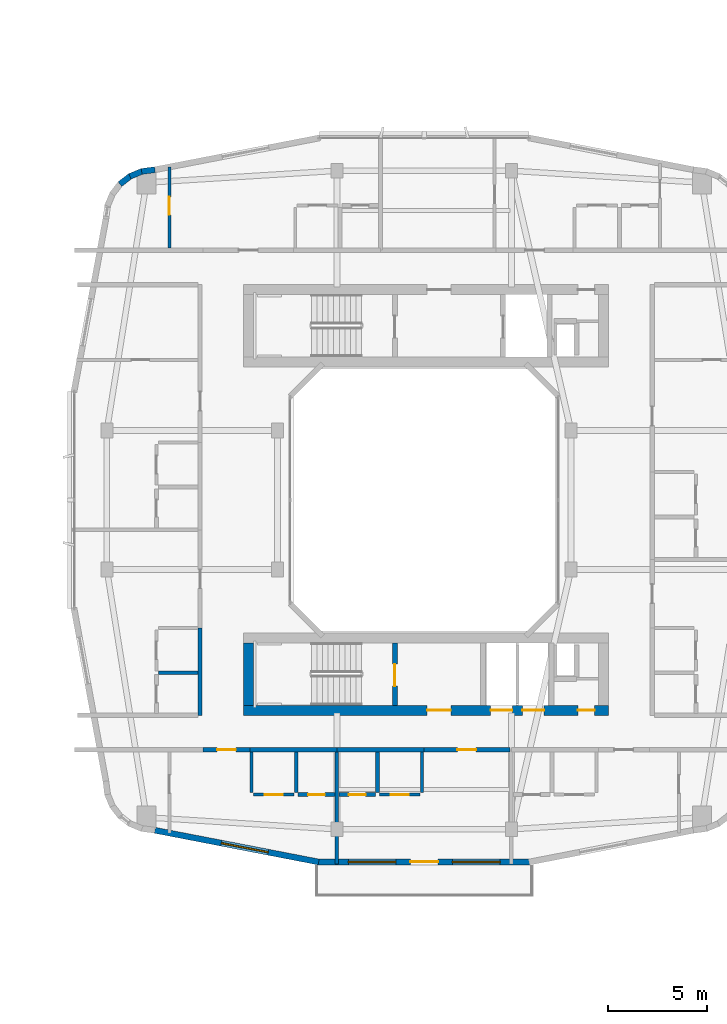
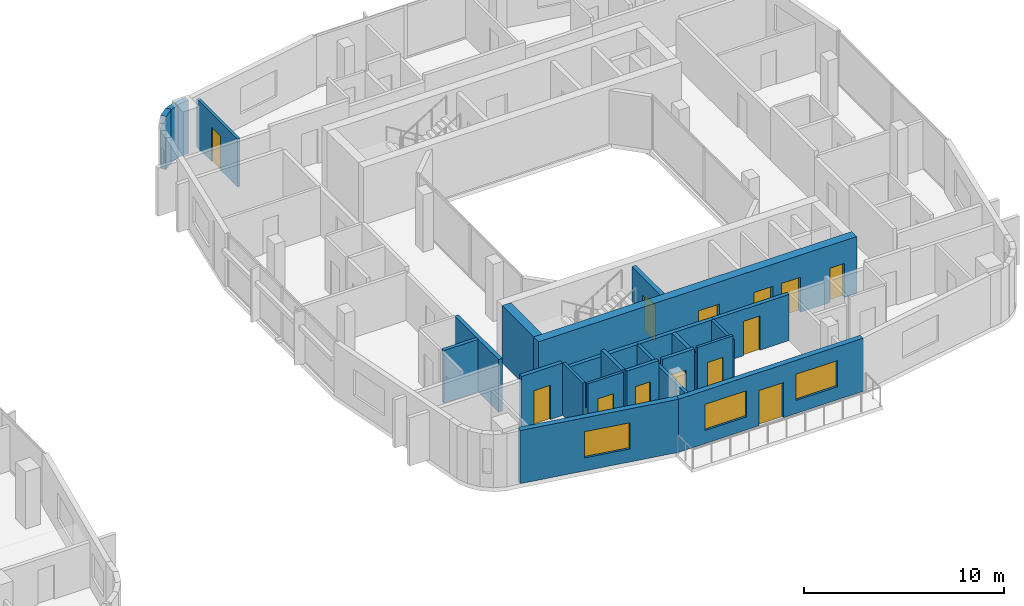
# One storey, part 14 of 24: 24 walls, 13 doors, 3 windows, 16 openings.
"""IFC4 building model written with IfcOpenShell, lengths in metres."""

from ifc_helpers import new_model, si_unit, derived_unit, direction, frame, frame_2d, origin, place, context, subcontext, project, spatial, rectangle, extrude, material, layer, layer_set, type_object, element, fill, save


model = new_model("IFC4")

# Units and contexts
model_context = context("Model", 3, precision=1e-05, world=origin(), true_north=direction((0.0, 1.0)))
body_context = subcontext(model_context, "Body", "Model", "MODEL_VIEW")
ifc_project = project(units=[si_unit("LENGTHUNIT", "METRE"), si_unit("AREAUNIT", "SQUARE_METRE"), si_unit("VOLUMEUNIT", "CUBIC_METRE"), si_unit("PLANEANGLEUNIT", "RADIAN"), si_unit("MASSUNIT", "GRAM", prefix="KILO"), derived_unit("THERMALTRANSMITTANCEUNIT", [(si_unit("POWERUNIT", "WATT"), 1), (si_unit("LENGTHUNIT", "METRE"), -2), (si_unit("THERMODYNAMICTEMPERATUREUNIT", "KELVIN"), -1)])], contexts=[model_context])

# Site, building, storey
site_placement = place(None, origin())
site = spatial("IfcSite", under=ifc_project, at=site_placement, CompositionType="ELEMENT")
building_placement = place(site_placement, origin())
building = spatial("IfcBuilding", under=site, at=building_placement, Name="Kivonza Crest Hotel", CompositionType="ELEMENT")
storey_placement = place(building_placement, frame((0.0, 0.0, 80.0)))
storey = spatial("IfcBuildingStorey", under=building, at=storey_placement, Name="L21", CompositionType="ELEMENT", Elevation=80.0)

# Walls
ifc_material_1 = material(Name="High-density acoustic masonry inter-tenancy wall", Category="masonry")
ifc_layer_1 = layer(ifc_material_1, 0.179931640625)
ifc_layer_set_1 = layer_set([ifc_layer_1], Name="High-density acoustic masonry inter-tenancy wall")
wall_type_1 = type_object("IfcWallType", Name="WL-ACOU-180", PredefinedType="SOLIDWALL", material=ifc_layer_set_1)
wall_1_placement = place(storey_placement, frame((72.60009765625, 6.659912109375, 0.0), z_axis=(0.0, 0.0, 1.0), x_axis=(0.0, 1.0, 0.0)))
element("IfcWall", 1, at=wall_1_placement, inside=storey, type_object=wall_type_1, Name="L21 interior partition WA-L21-T2S-DIV1", PredefinedType="SOLIDWALL", context=body_context, shape_type="SweptSolid", body=[
    extrude(rectangle(XDim=5.739990234375, YDim=0.179931640625, at=frame_2d((2.8701171875, 0.0))), origin(), (0.0, 0.0, 1.0), 2.824951171875),
])
ifc_material_2 = material(Name="Autoclaved aerated concrete blockwork", Category="masonry")
ifc_layer_2 = layer(ifc_material_2, 0.219970703125)
ifc_layer_set_2 = layer_set([ifc_layer_2], Name="Autoclaved aerated concrete blockwork")
wall_type_2 = type_object("IfcWallType", Name="WL-ACOU-220", PredefinedType="SOLIDWALL", material=ifc_layer_set_2)
wall_2_placement = place(storey_placement, frame((68.219970703125, 12.39990234375, 0.0), z_axis=(0.0, 0.0, 1.0), x_axis=(1.0, 0.0, 0.0)))
element("IfcWall", 2, at=wall_2_placement, inside=storey, type_object=wall_type_2, Name="L21 interior partition WA-L21-A03-RCORR", PredefinedType="SOLIDWALL", context=body_context, shape_type="SweptSolid", body=[
    extrude(rectangle(XDim=4.380126953125, YDim=0.219970703125, at=frame_2d((2.18994140625, 0.0))), origin(), (0.0, 0.0, 1.0), 2.824951171875),
])

# Wall, opening, door
wall_3_placement = place(storey_placement, frame((65.85009765625, 12.39990234375, 0.0), z_axis=(0.0, 0.0, 1.0), x_axis=(1.0, 0.0, 0.0)))
wall_3 = element("IfcWall", 3, at=wall_3_placement, inside=storey, type_object=wall_type_2, Name="L21 interior partition WA-L21-A03-MCORR", PredefinedType="SOLIDWALL", context=body_context, shape_type="SweptSolid", body=[
    extrude(rectangle(XDim=2.369873046875, YDim=0.219970703125, at=frame_2d((1.18505859375, 0.0))), origin(), (0.0, 0.0, 1.0), 3.219970703125),
])
opening_1_placement = place(wall_3_placement, frame((0.7099609375, 0.0, 0.0)))
opening_1 = element("IfcOpeningElement", 4, at=opening_1_placement, cuts=wall_3, Name="Opening DU-60", PredefinedType="OPENING", context=body_context, shape_type="SweptSolid", body=[
    extrude(rectangle(XDim=0.949951171875, YDim=2.10009765625, at=frame_2d((0.47509765625, 1.050048828125))), frame((0.0, 0.1201171875, 0.0), z_axis=(0.0, -1.0, 0.0), x_axis=(1.0, 0.0, 0.0)), (0.0, 0.0, 1.0), 0.239990234375),
])
ifc_material_3 = material(Name="Hardwood timber oak", Category="wood")
door_type_1 = type_object("IfcDoorType", Name="DR-UNIT-950", OperationType="NOTDEFINED", PredefinedType="DOOR", material=ifc_material_3)
door_1_placement = place(opening_1_placement, frame((0.949951171875, 0.0, 0.0), z_axis=(0.0, 0.0, 1.0), x_axis=(-1.0, 0.0, 0.0)))
door_1 = element("IfcDoor", 5, at=door_1_placement, inside=storey, type_object=door_type_1, Name="L21 A03 apartment entrance fire door", OperationType="SINGLE_SWING_LEFT", OverallHeight=2.10009765625, OverallWidth=0.949951171875, PredefinedType="DOOR", context=body_context, shape_type="SweptSolid", body=[
    extrude(rectangle(XDim=0.949951171875, YDim=2.10009765625, at=frame_2d((0.47509765625, 1.050048828125))), frame((0.0, 0.02490234375, 0.0), z_axis=(0.0, -1.0, 0.0), x_axis=(1.0, 0.0, 0.0)), (0.0, 0.0, 1.0), 0.050048828125),
])
fill(opening_1, door_1)

# Wall
wall_4_placement = place(storey_placement, frame((72.60009765625, 12.39990234375, 0.0), z_axis=(0.0, 0.0, 1.0), x_axis=(1.0, 0.0, 0.0)))
element("IfcWall", 6, at=wall_4_placement, inside=storey, type_object=wall_type_2, Name="L21 interior partition WA-L21-A04-LCORR", PredefinedType="SOLIDWALL", context=body_context, shape_type="SweptSolid", body=[
    extrude(rectangle(XDim=4.3798828125, YDim=0.219970703125, at=frame_2d((2.18994140625, 0.0))), origin(), (0.0, 0.0, 1.0), 2.824951171875),
])

# Wall, opening, door
wall_5_placement = place(storey_placement, frame((76.97998046875, 12.39990234375, 0.0), z_axis=(0.0, 0.0, 1.0), x_axis=(1.0, 0.0, 0.0)))
wall_5 = element("IfcWall", 7, at=wall_5_placement, inside=storey, type_object=wall_type_2, Name="L21 interior partition WA-L21-A04-MCORR", PredefinedType="SOLIDWALL", context=body_context, shape_type="SweptSolid", body=[
    extrude(rectangle(XDim=4.340087890625, YDim=0.219970703125, at=frame_2d((2.169921875, 0.0))), origin(), (0.0, 0.0, 1.0), 2.824951171875),
])
opening_2_placement = place(wall_5_placement, frame((1.695068359375, 0.0, 0.0)))
opening_2 = element("IfcOpeningElement", 8, at=opening_2_placement, cuts=wall_5, Name="Opening DU-60", PredefinedType="OPENING", context=body_context, shape_type="SweptSolid", body=[
    extrude(rectangle(XDim=0.949951171875, YDim=2.10009765625, at=frame_2d((0.47509765625, 1.050048828125))), frame((0.0, 0.1201171875, 0.0), z_axis=(0.0, -1.0, 0.0), x_axis=(1.0, 0.0, 0.0)), (0.0, 0.0, 1.0), 0.239990234375),
])
door_2_placement = place(opening_2_placement, frame((0.949951171875, 0.0, 0.0), z_axis=(0.0, 0.0, 1.0), x_axis=(-1.0, 0.0, 0.0)))
door_2 = element("IfcDoor", 9, at=door_2_placement, inside=storey, type_object=door_type_1, Name="L21 A04 apartment entrance fire door", OperationType="SINGLE_SWING_RIGHT", OverallHeight=2.10009765625, OverallWidth=0.949951171875, PredefinedType="DOOR", context=body_context, shape_type="SweptSolid", body=[
    extrude(rectangle(XDim=0.949951171875, YDim=2.10009765625, at=frame_2d((0.47509765625, 1.050048828125))), frame((0.0, 0.02490234375, 0.0), z_axis=(0.0, -1.0, 0.0), x_axis=(1.0, 0.0, 0.0)), (0.0, 0.0, 1.0), 0.050048828125),
])
fill(opening_2, door_2)

# Wall
wall_6_placement = place(storey_placement, frame((65.699951171875, 14.139892578125, 0.0), z_axis=(0.0, 0.0, 1.0), x_axis=(0.0, 1.0, 0.0)))
element("IfcWall", 10, at=wall_6_placement, inside=storey, type_object=wall_type_2, Name="L21 interior partition WA-L21-A06-BCORR", PredefinedType="SOLIDWALL", context=body_context, shape_type="SweptSolid", body=[
    extrude(rectangle(XDim=4.400146484375, YDim=0.219970703125, at=frame_2d((2.2001953125, 0.0))), origin(), (0.0, 0.0, 1.0), 3.219970703125),
])

# Wall, openings, doors
ifc_material_4 = material(Name="Concrete C60/75", Category="concrete")
ifc_layer_3 = layer(ifc_material_4, 0.5)
ifc_layer_set_3 = layer_set([ifc_layer_3], Name="Concrete C60/75")
wall_type_3 = type_object("IfcWallType", Name="WL-CORE-500", PredefinedType="SHEAR", material=ifc_layer_set_3)
wall_7_placement = place(storey_placement, frame((67.89990234375, 14.389892578125, 0.0), z_axis=(0.0, 0.0, 1.0), x_axis=(1.0, 0.0, 0.0)))
wall_7 = element("IfcWall", 11, at=wall_7_placement, inside=storey, type_object=wall_type_3, Name="Core wall T2-S South L21", PredefinedType="SHEAR", context=body_context, shape_type="SweptSolid", body=[
    extrude(rectangle(XDim=18.400146484375, YDim=0.5, at=frame_2d((9.2001953125, 0.0))), origin(), (0.0, 0.0, 1.0), 3.5),
])
opening_3_placement = place(wall_7_placement, frame((9.25, 0.0, 0.0)))
opening_3 = element("IfcOpeningElement", 12, at=opening_3_placement, cuts=wall_7, Name="Opening DF-60", PredefinedType="OPENING", context=body_context, shape_type="SweptSolid", body=[
    extrude(rectangle(XDim=1.199951171875, YDim=2.14990234375, at=frame_2d((0.60009765625, 1.074951171875))), frame((0.0, 0.260009765625, 0.0), z_axis=(0.0, -1.0, 0.0), x_axis=(1.0, 0.0, 0.0)), (0.0, 0.0, 1.0), 0.52001953125),
])
opening_4_placement = place(wall_7_placement, frame((16.85009765625, 0.0, 0.0)))
opening_4 = element("IfcOpeningElement", 13, at=opening_4_placement, cuts=wall_7, Name="Opening DF-60R", PredefinedType="OPENING", context=body_context, shape_type="SweptSolid", body=[
    extrude(rectangle(XDim=0.85009765625, YDim=2.10009765625, at=frame_2d((0.425048828125, 1.050048828125))), frame((0.0, 0.260009765625, 0.0), z_axis=(0.0, -1.0, 0.0), x_axis=(1.0, 0.0, 0.0)), (0.0, 0.0, 1.0), 0.52001953125),
])
opening_5_placement = place(wall_7_placement, frame((12.449951171875, 0.0, 0.0)))
opening_5 = element("IfcOpeningElement", 14, at=opening_5_placement, cuts=wall_7, Name="Opening LD-120", PredefinedType="OPENING", context=body_context, shape_type="SweptSolid", body=[
    extrude(rectangle(XDim=1.10009765625, YDim=2.14990234375, at=frame_2d((0.550048828125, 1.074951171875))), frame((0.0, 0.260009765625, 0.0), z_axis=(0.0, -1.0, 0.0), x_axis=(1.0, 0.0, 0.0)), (0.0, 0.0, 1.0), 0.52001953125),
])
opening_6_placement = place(wall_7_placement, frame((14.050048828125, 0.0, 0.0)))
opening_6 = element("IfcOpeningElement", 15, at=opening_6_placement, cuts=wall_7, Name="Opening LD-120", PredefinedType="OPENING", context=body_context, shape_type="SweptSolid", body=[
    extrude(rectangle(XDim=1.10009765625, YDim=2.14990234375, at=frame_2d((0.550048828125, 1.074951171875))), frame((0.0, 0.260009765625, 0.0), z_axis=(0.0, -1.0, 0.0), x_axis=(1.0, 0.0, 0.0)), (0.0, 0.0, 1.0), 0.52001953125),
])
door_type_2 = type_object("IfcDoorType", Name="DR-FD60-1200", OperationType="NOTDEFINED", PredefinedType="DOOR", material=ifc_material_3)
door_3_placement = place(opening_3_placement, frame((1.199951171875, 0.0, 0.0), z_axis=(0.0, 0.0, 1.0), x_axis=(-1.0, 0.0, 0.0)))
door_3 = element("IfcDoor", 16, at=door_3_placement, inside=storey, type_object=door_type_2, Name="L21 T2-S firefighting lobby fire door", OperationType="SINGLE_SWING_LEFT", OverallHeight=2.14990234375, OverallWidth=1.199951171875, PredefinedType="DOOR", context=body_context, shape_type="SweptSolid", body=[
    extrude(rectangle(XDim=1.199951171875, YDim=2.14990234375, at=frame_2d((0.60009765625, 1.074951171875))), frame((0.0, 0.02490234375, 0.0), z_axis=(0.0, -1.0, 0.0), x_axis=(1.0, 0.0, 0.0)), (0.0, 0.0, 1.0), 0.050048828125),
])
fill(opening_3, door_3)
door_type_3 = type_object("IfcDoorType", Name="DR-FD60-850", OperationType="NOTDEFINED", PredefinedType="DOOR", material=ifc_material_3)
door_4_placement = place(opening_4_placement, frame((0.85009765625, 0.0, 0.0), z_axis=(0.0, 0.0, 1.0), x_axis=(-1.0, 0.0, 0.0)))
door_4 = element("IfcDoor", 17, at=door_4_placement, inside=storey, type_object=door_type_3, Name="L21 T2-S core room door", OperationType="SINGLE_SWING_RIGHT", OverallHeight=2.10009765625, OverallWidth=0.85009765625, PredefinedType="DOOR", context=body_context, shape_type="SweptSolid", body=[
    extrude(rectangle(XDim=0.85009765625, YDim=2.10009765625, at=frame_2d((0.425048828125, 1.050048828125))), frame((0.0, 0.02490234375, 0.0), z_axis=(0.0, -1.0, 0.0), x_axis=(1.0, 0.0, 0.0)), (0.0, 0.0, 1.0), 0.050048828125),
])
fill(opening_4, door_4)
ifc_material_5 = material(Name="Stainless steel", Category="steel")
door_type_4 = type_object("IfcDoorType", Name="DR-LD120-1100", OperationType="NOTDEFINED", PredefinedType="DOOR", material=ifc_material_5)
door_5_placement = place(opening_5_placement, frame((1.10009765625, 0.0, 0.0), z_axis=(0.0, 0.0, 1.0), x_axis=(-1.0, 0.0, 0.0)))
door_5 = element("IfcDoor", 18, at=door_5_placement, inside=storey, type_object=door_type_4, Name="L21 PL-T2-1 passenger lift sliding landing door", OperationType="DOUBLE_DOOR_SLIDING", OverallHeight=2.14990234375, OverallWidth=1.10009765625, PredefinedType="DOOR", context=body_context, shape_type="SweptSolid", body=[
    extrude(rectangle(XDim=1.10009765625, YDim=2.14990234375, at=frame_2d((0.550048828125, 1.074951171875))), frame((0.0, 0.02490234375, 0.0), z_axis=(0.0, -1.0, 0.0), x_axis=(1.0, 0.0, 0.0)), (0.0, 0.0, 1.0), 0.050048828125),
])
fill(opening_5, door_5)
door_6_placement = place(opening_6_placement, frame((1.10009765625, 0.0, 0.0), z_axis=(0.0, 0.0, 1.0), x_axis=(-1.0, 0.0, 0.0)))
door_6 = element("IfcDoor", 19, at=door_6_placement, inside=storey, type_object=door_type_4, Name="L21 PL-T2-2 passenger lift sliding landing door", OperationType="DOUBLE_DOOR_SLIDING", OverallHeight=2.14990234375, OverallWidth=1.10009765625, PredefinedType="DOOR", context=body_context, shape_type="SweptSolid", body=[
    extrude(rectangle(XDim=1.10009765625, YDim=2.14990234375, at=frame_2d((0.550048828125, 1.074951171875))), frame((0.0, 0.02490234375, 0.0), z_axis=(0.0, -1.0, 0.0), x_axis=(1.0, 0.0, 0.0)), (0.0, 0.0, 1.0), 0.050048828125),
])
fill(opening_6, door_6)

# Wall
wall_8_placement = place(storey_placement, frame((68.14990234375, 14.639892578125, 0.0), z_axis=(0.0, 0.0, 1.0), x_axis=(0.0, 1.0, 0.0)))
element("IfcWall", 20, at=wall_8_placement, inside=storey, type_object=wall_type_3, Name="Core wall T2-S West L21", PredefinedType="SHEAR", context=body_context, shape_type="SweptSolid", body=[
    extrude(rectangle(XDim=3.16015625, YDim=0.5, at=frame_2d((1.580078125, 0.0))), origin(), (0.0, 0.0, 1.0), 3.5),
])

# Wall, opening, window
ifc_material_6 = material(Name="Precast concrete C40/50", Category="concrete")
ifc_layer_4 = layer(ifc_material_6, 0.300048828125)
ifc_layer_set_4 = layer_set([ifc_layer_4], Name="Precast concrete C40/50")
wall_type_4 = type_object("IfcWallType", Name="WL-EXT-300", PredefinedType="STANDARD", material=ifc_layer_set_4)
wall_9_placement = place(storey_placement, frame((63.4208984375, 8.34912109375, 0.0), z_axis=(0.0, 0.0, 1.0), x_axis=(0.98174070399, -0.190224052445, 0.0)))
wall_9 = element("IfcWall", 21, at=wall_9_placement, inside=storey, type_object=wall_type_4, Name="L21 T2 exterior insulated wall 7", PredefinedType="STANDARD", context=body_context, shape_type="SweptSolid", body=[
    extrude(rectangle(XDim=8.41162109375, YDim=0.300048828125, at=frame_2d((4.205810546875, 0.0))), origin(), (0.0, 0.0, 1.0), 3.25),
])
opening_7_placement = place(wall_9_placement, frame((3.4208984375, 0.0, 0.800048828125)))
opening_7 = element("IfcOpeningElement", 22, at=opening_7_placement, cuts=wall_9, Name="Opening WN-05", PredefinedType="OPENING", context=body_context, shape_type="SweptSolid", body=[
    extrude(rectangle(XDim=2.39990234375, YDim=1.60009765625, at=frame_2d((1.199951171875, 0.800048828125))), frame((0.0, 0.16015625, 0.0), z_axis=(0.0, -1.0, 0.0), x_axis=(1.0, 0.0, 0.0)), (0.0, 0.0, 1.0), 0.320068359375),
])
ifc_material_7 = material(Name="Thermally broken bronze aluminium and low-E double glazing", Category="aluminium")
window_type = type_object("IfcWindowType", Name="WN-240x160", PartitioningType="TRIPLE_PANEL_VERTICAL", PredefinedType="WINDOW", material=ifc_material_7)
window_1_placement = place(opening_7_placement, origin())
window_1 = element("IfcWindow", 23, at=window_1_placement, inside=storey, type_object=window_type, Name="L21 T2 facade window 7", OverallHeight=1.60009765625, OverallWidth=2.39990234375, PartitioningType="SINGLE_PANEL", PredefinedType="WINDOW", context=body_context, shape_type="SweptSolid", body=[
    extrude(rectangle(XDim=2.39990234375, YDim=1.60009765625, at=frame_2d((1.199951171875, 0.800048828125))), frame((0.0, 0.030029296875, 0.0), z_axis=(0.0, -1.0, 0.0), x_axis=(1.0, 0.0, 0.0)), (0.0, 0.0, 1.0), 0.06005859375),
])
fill(opening_7, window_1)

# Wall, openings, door, windows
wall_10_placement = place(storey_placement, frame((71.635009765625, 6.75, 0.0), z_axis=(0.0, 0.0, 1.0), x_axis=(1.0, 0.0, 0.0)))
wall_10 = element("IfcWall", 24, at=wall_10_placement, inside=storey, type_object=wall_type_4, Name="L21 T2 exterior insulated wall 8", PredefinedType="STANDARD", context=body_context, shape_type="SweptSolid", body=[
    extrude(rectangle(XDim=10.695068359375, YDim=0.300048828125, at=frame_2d((5.34765625, 0.0))), origin(), (0.0, 0.0, 1.0), 3.25),
])
opening_8_placement = place(wall_10_placement, frame((4.6650390625, 0.0, 0.0)))
opening_8 = element("IfcOpeningElement", 25, at=opening_8_placement, cuts=wall_10, Name="Opening DT-140", PredefinedType="OPENING", context=body_context, shape_type="SweptSolid", body=[
    extrude(rectangle(XDim=1.39990234375, YDim=2.14990234375, at=frame_2d((0.699951171875, 1.074951171875))), frame((0.0, 0.16015625, 0.0), z_axis=(0.0, -1.0, 0.0), x_axis=(1.0, 0.0, 0.0)), (0.0, 0.0, 1.0), 0.320068359375),
])
opening_9_placement = place(wall_10_placement, frame((1.5400390625, 0.0, 0.800048828125)))
opening_9 = element("IfcOpeningElement", 26, at=opening_9_placement, cuts=wall_10, Name="Opening WN-05", PredefinedType="OPENING", context=body_context, shape_type="SweptSolid", body=[
    extrude(rectangle(XDim=2.39990234375, YDim=1.60009765625, at=frame_2d((1.199951171875, 0.800048828125))), frame((0.0, 0.16015625, 0.0), z_axis=(0.0, -1.0, 0.0), x_axis=(1.0, 0.0, 0.0)), (0.0, 0.0, 1.0), 0.320068359375),
])
opening_10_placement = place(wall_10_placement, frame((6.7900390625, 0.0, 0.800048828125)))
opening_10 = element("IfcOpeningElement", 27, at=opening_10_placement, cuts=wall_10, Name="Opening WN-05", PredefinedType="OPENING", context=body_context, shape_type="SweptSolid", body=[
    extrude(rectangle(XDim=2.39990234375, YDim=1.60009765625, at=frame_2d((1.199951171875, 0.800048828125))), frame((0.0, 0.16015625, 0.0), z_axis=(0.0, -1.0, 0.0), x_axis=(1.0, 0.0, 0.0)), (0.0, 0.0, 1.0), 0.320068359375),
])
ifc_material_8 = material(Name="Anodised bronze aluminium and laminated safety glass", Category="aluminium")
door_type_5 = type_object("IfcDoorType", Name="DR-TERR-1400", OperationType="NOTDEFINED", PredefinedType="DOOR", material=ifc_material_8)
door_7_placement = place(opening_8_placement, frame((1.39990234375, 0.0, 0.0), z_axis=(0.0, 0.0, 1.0), x_axis=(-1.0, 0.0, 0.0)))
door_7 = element("IfcDoor", 28, at=door_7_placement, inside=storey, type_object=door_type_5, Name="T2 L21 South setback terrace door", OperationType="DOUBLE_DOOR_SINGLE_SWING", OverallHeight=2.14990234375, OverallWidth=1.39990234375, PredefinedType="DOOR", context=body_context, shape_type="SweptSolid", body=[
    extrude(rectangle(XDim=1.39990234375, YDim=2.14990234375, at=frame_2d((0.699951171875, 1.074951171875))), frame((0.0, 0.02490234375, 0.0), z_axis=(0.0, -1.0, 0.0), x_axis=(1.0, 0.0, 0.0)), (0.0, 0.0, 1.0), 0.050048828125),
])
fill(opening_8, door_7)
window_2_placement = place(opening_9_placement, origin())
window_2 = element("IfcWindow", 29, at=window_2_placement, inside=storey, type_object=window_type, Name="L21 T2 facade window 8 bay 1", OverallHeight=1.60009765625, OverallWidth=2.39990234375, PartitioningType="SINGLE_PANEL", PredefinedType="WINDOW", context=body_context, shape_type="SweptSolid", body=[
    extrude(rectangle(XDim=2.39990234375, YDim=1.60009765625, at=frame_2d((1.199951171875, 0.800048828125))), frame((0.0, 0.030029296875, 0.0), z_axis=(0.0, -1.0, 0.0), x_axis=(1.0, 0.0, 0.0)), (0.0, 0.0, 1.0), 0.06005859375),
])
fill(opening_9, window_2)
window_3_placement = place(opening_10_placement, origin())
window_3 = element("IfcWindow", 30, at=window_3_placement, inside=storey, type_object=window_type, Name="L21 T2 facade window 8 bay 2", OverallHeight=1.60009765625, OverallWidth=2.39990234375, PartitioningType="SINGLE_PANEL", PredefinedType="WINDOW", context=body_context, shape_type="SweptSolid", body=[
    extrude(rectangle(XDim=2.39990234375, YDim=1.60009765625, at=frame_2d((1.199951171875, 0.800048828125))), frame((0.0, 0.030029296875, 0.0), z_axis=(0.0, -1.0, 0.0), x_axis=(1.0, 0.0, 0.0)), (0.0, 0.0, 1.0), 0.06005859375),
])
fill(opening_10, window_3)

# Walls
wall_11_placement = place(storey_placement, frame((63.427978515625, 41.652099609375, 0.0), z_axis=(0.0, 0.0, 1.0), x_axis=(-0.991293937098, -0.131667498923, 0.0)))
element("IfcWall", 31, at=wall_11_placement, inside=storey, type_object=wall_type_4, Name="L21 T2 exterior insulated wall 28", PredefinedType="STANDARD", context=body_context, shape_type="SweptSolid", body=[
    extrude(rectangle(XDim=0.6767578125, YDim=0.300048828125, at=frame_2d((0.33837890625, 0.0))), origin(), (0.0, 0.0, 1.0), 3.25),
])
wall_12_placement = place(storey_placement, frame((62.806884765625, 41.58203125, 0.0), z_axis=(0.0, 0.0, 1.0), x_axis=(-0.924042561464, -0.382289608286, 0.0)))
element("IfcWall", 32, at=wall_12_placement, inside=storey, type_object=wall_type_4, Name="L21 T2 exterior insulated wall 29", PredefinedType="STANDARD", context=body_context, shape_type="SweptSolid", body=[
    extrude(rectangle(XDim=0.693603515625, YDim=0.300048828125, at=frame_2d((0.3466796875, 0.0))), origin(), (0.0, 0.0, 1.0), 3.25),
])
wall_13_placement = place(storey_placement, frame((62.2109375, 41.347900390625, 0.0), z_axis=(0.0, 0.0, 1.0), x_axis=(-0.792807092876, -0.609472651958, 0.0)))
element("IfcWall", 33, at=wall_13_placement, inside=storey, type_object=wall_type_4, Name="L21 T2 exterior insulated wall 30", PredefinedType="STANDARD", context=body_context, shape_type="SweptSolid", body=[
    extrude(rectangle(XDim=0.69384765625, YDim=0.300048828125, at=frame_2d((0.346923828125, 0.0))), origin(), (0.0, 0.0, 1.0), 3.25),
])

# Wall, opening, door
ifc_material_9 = material(Name="Twin-stud acoustic gypsum board partition", Category="gypsum")
ifc_layer_5 = layer(ifc_material_9, 0.14990234375)
ifc_layer_set_5 = layer_set([ifc_layer_5], Name="Twin-stud acoustic gypsum board partition")
wall_type_5 = type_object("IfcWallType", Name="WL-PART-150", PredefinedType="PARTITIONING", material=ifc_layer_set_5)
wall_14_placement = place(storey_placement, frame((64.159912109375, 37.699951171875, 0.0), z_axis=(0.0, 0.0, 1.0), x_axis=(0.0, 1.0, 0.0)))
wall_14 = element("IfcWall", 34, at=wall_14_placement, inside=storey, type_object=wall_type_5, Name="L21 interior partition WP-L21-A01-BDW1", PredefinedType="PARTITIONING", context=body_context, shape_type="SweptSolid", body=[
    extrude(rectangle(XDim=4.0859375, YDim=0.14990234375, at=frame_2d((2.04296875, 0.0))), origin(), (0.0, 0.0, 1.0), 2.945068359375),
])
opening_11_placement = place(wall_14_placement, frame((1.679931640625, 0.0, 0.0)))
opening_11 = element("IfcOpeningElement", 35, at=opening_11_placement, cuts=wall_14, Name="Opening DI-90", PredefinedType="OPENING", context=body_context, shape_type="SweptSolid", body=[
    extrude(rectangle(XDim=0.89990234375, YDim=2.10009765625, at=frame_2d((0.449951171875, 1.050048828125))), frame((0.0, 0.0849609375, 0.0), z_axis=(0.0, -1.0, 0.0), x_axis=(1.0, 0.0, 0.0)), (0.0, 0.0, 1.0), 0.169921875),
])
door_type_6 = type_object("IfcDoorType", Name="DR-INT-900", OperationType="NOTDEFINED", PredefinedType="DOOR", material=ifc_material_3)
door_8_placement = place(opening_11_placement, origin())
door_8 = element("IfcDoor", 36, at=door_8_placement, inside=storey, type_object=door_type_6, Name="L21 A01 bedroom 1 door", OperationType="SINGLE_SWING_RIGHT", OverallHeight=2.10009765625, OverallWidth=0.89990234375, PredefinedType="DOOR", context=body_context, shape_type="SweptSolid", body=[
    extrude(rectangle(XDim=0.89990234375, YDim=2.10009765625, at=frame_2d((0.449951171875, 1.050048828125))), frame((0.0, 0.02490234375, 0.0), z_axis=(0.0, -1.0, 0.0), x_axis=(1.0, 0.0, 0.0)), (0.0, 0.0, 1.0), 0.050048828125),
])
fill(opening_11, door_8)

# Wall
wall_15_placement = place(storey_placement, frame((68.300048828125, 10.25, 0.0), z_axis=(0.0, 0.0, 1.0), x_axis=(0.0, 1.0, 0.0)))
element("IfcWall", 37, at=wall_15_placement, inside=storey, type_object=wall_type_5, Name="L21 interior partition WP-L21-A03-KF", PredefinedType="PARTITIONING", context=body_context, shape_type="SweptSolid", body=[
    extrude(rectangle(XDim=2.050048828125, YDim=0.14990234375, at=frame_2d((1.02490234375, 0.0))), origin(), (0.0, 0.0, 1.0), 3.219970703125),
])

# Wall, opening, door
wall_16_placement = place(storey_placement, frame((68.39990234375, 10.14990234375, 0.0), z_axis=(0.0, 0.0, 1.0), x_axis=(1.0, 0.0, 0.0)))
wall_16 = element("IfcWall", 38, at=wall_16_placement, inside=storey, type_object=wall_type_5, Name="L21 interior partition WP-L21-A03-KSVC", PredefinedType="PARTITIONING", context=body_context, shape_type="SweptSolid", body=[
    extrude(rectangle(XDim=2.050048828125, YDim=0.14990234375, at=frame_2d((1.02490234375, 0.0))), origin(), (0.0, 0.0, 1.0), 3.219970703125),
])
opening_12_placement = place(wall_16_placement, frame((0.574951171875, 0.0, 0.0)))
opening_12 = element("IfcOpeningElement", 39, at=opening_12_placement, cuts=wall_16, Name="Opening DI-90", PredefinedType="OPENING", context=body_context, shape_type="SweptSolid", body=[
    extrude(rectangle(XDim=0.89990234375, YDim=2.10009765625, at=frame_2d((0.449951171875, 1.050048828125))), frame((0.0, 0.0849609375, 0.0), z_axis=(0.0, -1.0, 0.0), x_axis=(1.0, 0.0, 0.0)), (0.0, 0.0, 1.0), 0.169921875),
])
door_9_placement = place(opening_12_placement, frame((0.89990234375, 0.0, 0.0), z_axis=(0.0, 0.0, 1.0), x_axis=(-1.0, 0.0, 0.0)))
door_9 = element("IfcDoor", 40, at=door_9_placement, inside=storey, type_object=door_type_6, Name="L21 A03 apartment kitchen door", OperationType="SINGLE_SWING_LEFT", OverallHeight=2.10009765625, OverallWidth=0.89990234375, PredefinedType="DOOR", context=body_context, shape_type="SweptSolid", body=[
    extrude(rectangle(XDim=0.89990234375, YDim=2.10009765625, at=frame_2d((0.449951171875, 1.050048828125))), frame((0.0, 0.02490234375, 0.0), z_axis=(0.0, -1.0, 0.0), x_axis=(1.0, 0.0, 0.0)), (0.0, 0.0, 1.0), 0.050048828125),
])
fill(opening_12, door_9)

# Wall
wall_17_placement = place(storey_placement, frame((76.89990234375, 10.25, 0.0), z_axis=(0.0, 0.0, 1.0), x_axis=(0.0, 1.0, 0.0)))
element("IfcWall", 41, at=wall_17_placement, inside=storey, type_object=wall_type_5, Name="L21 interior partition WP-L21-A04-KF", PredefinedType="PARTITIONING", context=body_context, shape_type="SweptSolid", body=[
    extrude(rectangle(XDim=2.050048828125, YDim=0.14990234375, at=frame_2d((1.02490234375, 0.0))), origin(), (0.0, 0.0, 1.0), 2.824951171875),
])

# Wall, opening, door
wall_18_placement = place(storey_placement, frame((74.75, 10.14990234375, 0.0), z_axis=(0.0, 0.0, 1.0), x_axis=(1.0, 0.0, 0.0)))
wall_18 = element("IfcWall", 42, at=wall_18_placement, inside=storey, type_object=wall_type_5, Name="L21 interior partition WP-L21-A04-KSVC", PredefinedType="PARTITIONING", context=body_context, shape_type="SweptSolid", body=[
    extrude(rectangle(XDim=2.050048828125, YDim=0.14990234375, at=frame_2d((1.02490234375, 0.0))), origin(), (0.0, 0.0, 1.0), 3.219970703125),
])
opening_13_placement = place(wall_18_placement, frame((0.574951171875, 0.0, 0.0)))
opening_13 = element("IfcOpeningElement", 43, at=opening_13_placement, cuts=wall_18, Name="Opening DI-90", PredefinedType="OPENING", context=body_context, shape_type="SweptSolid", body=[
    extrude(rectangle(XDim=0.89990234375, YDim=2.10009765625, at=frame_2d((0.449951171875, 1.050048828125))), frame((0.0, 0.0849609375, 0.0), z_axis=(0.0, -1.0, 0.0), x_axis=(1.0, 0.0, 0.0)), (0.0, 0.0, 1.0), 0.169921875),
])
door_10_placement = place(opening_13_placement, frame((0.89990234375, 0.0, 0.0), z_axis=(0.0, 0.0, 1.0), x_axis=(-1.0, 0.0, 0.0)))
door_10 = element("IfcDoor", 44, at=door_10_placement, inside=storey, type_object=door_type_6, Name="L21 A04 apartment kitchen door", OperationType="SINGLE_SWING_RIGHT", OverallHeight=2.10009765625, OverallWidth=0.89990234375, PredefinedType="DOOR", context=body_context, shape_type="SweptSolid", body=[
    extrude(rectangle(XDim=0.89990234375, YDim=2.10009765625, at=frame_2d((0.449951171875, 1.050048828125))), frame((0.0, 0.02490234375, 0.0), z_axis=(0.0, -1.0, 0.0), x_axis=(1.0, 0.0, 0.0)), (0.0, 0.0, 1.0), 0.050048828125),
])
fill(opening_13, door_10)

# Wall
ifc_material_10 = material(Name="Moisture-resistant plumbing chase partition wall", Category="gypsum")
ifc_layer_6 = layer(ifc_material_10, 0.199951171875)
ifc_layer_set_6 = layer_set([ifc_layer_6], Name="Moisture-resistant plumbing chase partition wall")
wall_type_6 = type_object("IfcWallType", Name="WL-PLUMB-200", PredefinedType="PLUMBINGWALL", material=ifc_layer_set_6)
wall_19_placement = place(storey_placement, frame((70.550048828125, 10.25, 0.0), z_axis=(0.0, 0.0, 1.0), x_axis=(0.0, 1.0, 0.0)))
element("IfcWall", 45, at=wall_19_placement, inside=storey, type_object=wall_type_6, Name="L21 interior partition WW-L21-A03-BK", PredefinedType="PLUMBINGWALL", context=body_context, shape_type="SweptSolid", body=[
    extrude(rectangle(XDim=2.050048828125, YDim=0.199951171875, at=frame_2d((1.02490234375, 0.0))), origin(), (0.0, 0.0, 1.0), 3.219970703125),
])

# Wall, opening, door
wall_20_placement = place(storey_placement, frame((70.64990234375, 10.14990234375, 0.0), z_axis=(0.0, 0.0, 1.0), x_axis=(1.0, 0.0, 0.0)))
wall_20 = element("IfcWall", 46, at=wall_20_placement, inside=storey, type_object=wall_type_6, Name="L21 interior partition WW-L21-A03-BSVC", PredefinedType="PLUMBINGWALL", context=body_context, shape_type="SweptSolid", body=[
    extrude(rectangle(XDim=1.85009765625, YDim=0.199951171875, at=frame_2d((0.925048828125, 0.0))), origin(), (0.0, 0.0, 1.0), 3.219970703125),
])
opening_14_placement = place(wall_20_placement, frame((0.5, 0.0, 0.0)))
opening_14 = element("IfcOpeningElement", 47, at=opening_14_placement, cuts=wall_20, Name="Opening DI-85", PredefinedType="OPENING", context=body_context, shape_type="SweptSolid", body=[
    extrude(rectangle(XDim=0.85009765625, YDim=2.10009765625, at=frame_2d((0.425048828125, 1.050048828125))), frame((0.0, 0.10986328125, 0.0), z_axis=(0.0, -1.0, 0.0), x_axis=(1.0, 0.0, 0.0)), (0.0, 0.0, 1.0), 0.219970703125),
])
door_type_7 = type_object("IfcDoorType", Name="DR-INT-850", OperationType="NOTDEFINED", PredefinedType="DOOR", material=ifc_material_3)
door_11_placement = place(opening_14_placement, frame((0.85009765625, 0.0, 0.0), z_axis=(0.0, 0.0, 1.0), x_axis=(-1.0, 0.0, 0.0)))
door_11 = element("IfcDoor", 48, at=door_11_placement, inside=storey, type_object=door_type_7, Name="L21 A03 apartment bathroom door", OperationType="SINGLE_SWING_RIGHT", OverallHeight=2.10009765625, OverallWidth=0.85009765625, PredefinedType="DOOR", context=body_context, shape_type="SweptSolid", body=[
    extrude(rectangle(XDim=0.85009765625, YDim=2.10009765625, at=frame_2d((0.425048828125, 1.050048828125))), frame((0.0, 0.02490234375, 0.0), z_axis=(0.0, -1.0, 0.0), x_axis=(1.0, 0.0, 0.0)), (0.0, 0.0, 1.0), 0.050048828125),
])
fill(opening_14, door_11)

# Wall
wall_21_placement = place(storey_placement, frame((74.64990234375, 10.25, 0.0), z_axis=(0.0, 0.0, 1.0), x_axis=(0.0, 1.0, 0.0)))
element("IfcWall", 49, at=wall_21_placement, inside=storey, type_object=wall_type_6, Name="L21 interior partition WW-L21-A04-BK", PredefinedType="PLUMBINGWALL", context=body_context, shape_type="SweptSolid", body=[
    extrude(rectangle(XDim=2.050048828125, YDim=0.199951171875, at=frame_2d((1.02490234375, 0.0))), origin(), (0.0, 0.0, 1.0), 2.824951171875),
])

# Wall, opening, door
wall_22_placement = place(storey_placement, frame((72.699951171875, 10.14990234375, 0.0), z_axis=(0.0, 0.0, 1.0), x_axis=(1.0, 0.0, 0.0)))
wall_22 = element("IfcWall", 50, at=wall_22_placement, inside=storey, type_object=wall_type_6, Name="L21 interior partition WW-L21-A04-BSVC", PredefinedType="PLUMBINGWALL", context=body_context, shape_type="SweptSolid", body=[
    extrude(rectangle(XDim=1.85009765625, YDim=0.199951171875, at=frame_2d((0.925048828125, 0.0))), origin(), (0.0, 0.0, 1.0), 3.219970703125),
])
opening_15_placement = place(wall_22_placement, frame((0.5, 0.0, 0.0)))
opening_15 = element("IfcOpeningElement", 51, at=opening_15_placement, cuts=wall_22, Name="Opening DI-85", PredefinedType="OPENING", context=body_context, shape_type="SweptSolid", body=[
    extrude(rectangle(XDim=0.85009765625, YDim=2.10009765625, at=frame_2d((0.425048828125, 1.050048828125))), frame((0.0, 0.10986328125, 0.0), z_axis=(0.0, -1.0, 0.0), x_axis=(1.0, 0.0, 0.0)), (0.0, 0.0, 1.0), 0.219970703125),
])
door_12_placement = place(opening_15_placement, frame((0.85009765625, 0.0, 0.0), z_axis=(0.0, 0.0, 1.0), x_axis=(-1.0, 0.0, 0.0)))
door_12 = element("IfcDoor", 52, at=door_12_placement, inside=storey, type_object=door_type_7, Name="L21 A04 apartment bathroom door", OperationType="SINGLE_SWING_LEFT", OverallHeight=2.10009765625, OverallWidth=0.85009765625, PredefinedType="DOOR", context=body_context, shape_type="SweptSolid", body=[
    extrude(rectangle(XDim=0.85009765625, YDim=2.10009765625, at=frame_2d((0.425048828125, 1.050048828125))), frame((0.0, 0.02490234375, 0.0), z_axis=(0.0, -1.0, 0.0), x_axis=(1.0, 0.0, 0.0)), (0.0, 0.0, 1.0), 0.050048828125),
])
fill(opening_15, door_12)

# Wall
wall_23_placement = place(storey_placement, frame((63.60009765625, 16.2900390625, 0.0), z_axis=(0.0, 0.0, 1.0), x_axis=(1.0, 0.0, 0.0)))
element("IfcWall", 53, at=wall_23_placement, inside=storey, type_object=wall_type_6, Name="L21 interior partition WW-L21-A06-BK", PredefinedType="PLUMBINGWALL", context=body_context, shape_type="SweptSolid", body=[
    extrude(rectangle(XDim=2.0, YDim=0.199951171875, at=frame_2d((1.0, 0.0))), origin(), (0.0, 0.0, 1.0), 3.219970703125),
])

# Wall, opening, door
ifc_material_11 = material(Name="Concrete C50/60", Category="concrete")
ifc_layer_7 = layer(ifc_material_11, 0.25)
ifc_layer_set_7 = layer_set([ifc_layer_7], Name="Concrete C50/60")
wall_type_7 = type_object("IfcWallType", Name="WL-SHAFT-250", PredefinedType="STANDARD", material=ifc_layer_set_7)
wall_24_placement = place(storey_placement, frame((75.52490234375, 14.639892578125, 0.0), z_axis=(0.0, 0.0, 1.0), x_axis=(0.0, 1.0, 0.0)))
wall_24 = element("IfcWall", 54, at=wall_24_placement, inside=storey, type_object=wall_type_7, Name="Core shaft wall T2-S STAIR L21", PredefinedType="STANDARD", context=body_context, shape_type="SweptSolid", body=[
    extrude(rectangle(XDim=3.16015625, YDim=0.25, at=frame_2d((1.580078125, 0.0))), origin(), (0.0, 0.0, 1.0), 3.25),
])
opening_16_placement = place(wall_24_placement, frame((0.97998046875, 0.0, 0.0)))
opening_16 = element("IfcOpeningElement", 55, at=opening_16_placement, cuts=wall_24, Name="Opening DF-120", PredefinedType="OPENING", context=body_context, shape_type="SweptSolid", body=[
    extrude(rectangle(XDim=1.10009765625, YDim=2.14990234375, at=frame_2d((0.550048828125, 1.074951171875))), frame((0.0, 0.135009765625, 0.0), z_axis=(0.0, -1.0, 0.0), x_axis=(1.0, 0.0, 0.0)), (0.0, 0.0, 1.0), 0.27001953125),
])
ifc_material_12 = material(Name="Galvanised steel", Category="steel")
door_type_8 = type_object("IfcDoorType", Name="DR-FD120-1100", OperationType="NOTDEFINED", PredefinedType="DOOR", material=ifc_material_12)
door_13_placement = place(opening_16_placement, frame((1.10009765625, 0.0, 0.0), z_axis=(0.0, 0.0, 1.0), x_axis=(-1.0, 0.0, 0.0)))
door_13 = element("IfcDoor", 56, at=door_13_placement, inside=storey, type_object=door_type_8, Name="L21 T2-S stair fire door", OperationType="SINGLE_SWING_RIGHT", OverallHeight=2.14990234375, OverallWidth=1.10009765625, PredefinedType="DOOR", context=body_context, shape_type="SweptSolid", body=[
    extrude(rectangle(XDim=1.10009765625, YDim=2.14990234375, at=frame_2d((0.550048828125, 1.074951171875))), frame((0.0, 0.02490234375, 0.0), z_axis=(0.0, -1.0, 0.0), x_axis=(1.0, 0.0, 0.0)), (0.0, 0.0, 1.0), 0.050048828125),
])
fill(opening_16, door_13)

save(model, "model.ifc")
